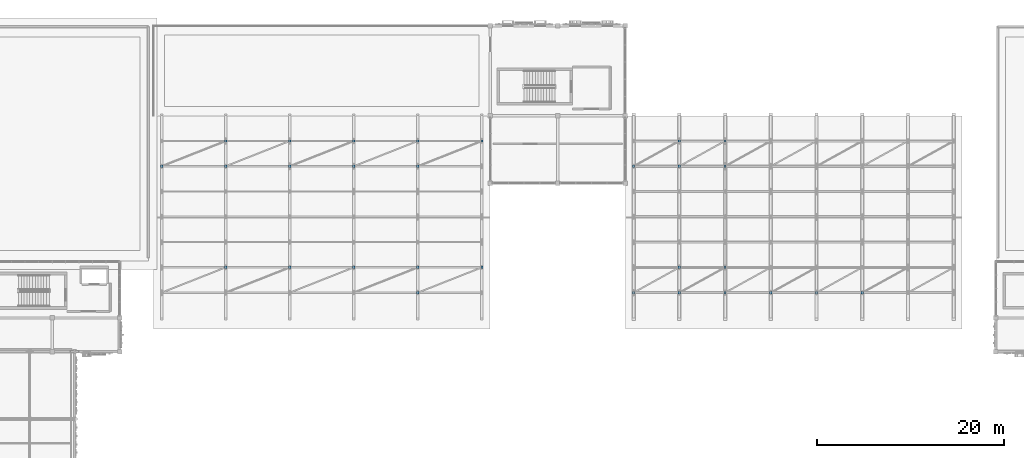
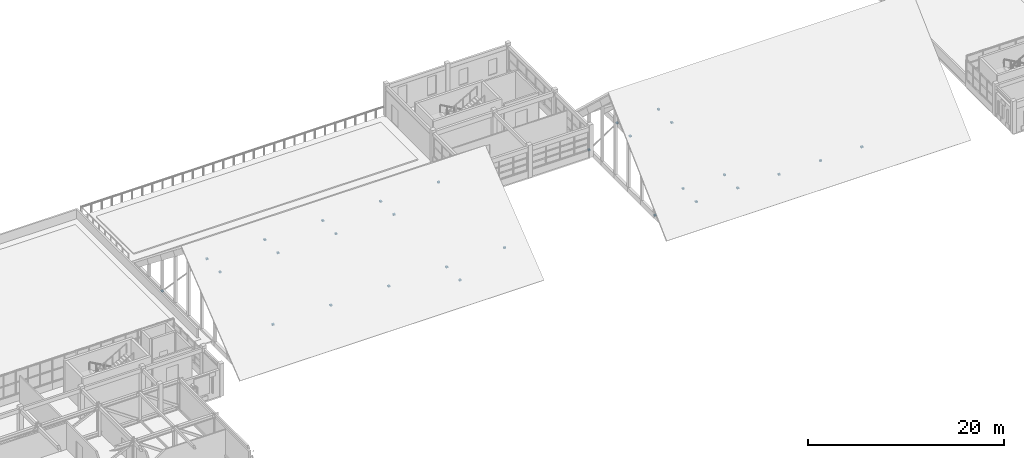
# One storey, part 59 of 79: 29 discrete accessories.
"""IFC4 building model written with IfcOpenShell, lengths in metres."""

from ifc_helpers import new_model, si_unit, direction, frame, origin, origin_2d, place, context, subcontext, project, spatial, rectangle, extrude, material, type_object, element, save


model = new_model("IFC4")

# Units and contexts
model_context = context("Model", 3, precision=1e-05, world=origin(), true_north=direction((0.0, 1.0)))
body_context = subcontext(model_context, "Body", "Model", "MODEL_VIEW")
ifc_project = project(units=[si_unit("LENGTHUNIT", "METRE"), si_unit("AREAUNIT", "SQUARE_METRE"), si_unit("VOLUMEUNIT", "CUBIC_METRE"), si_unit("PLANEANGLEUNIT", "RADIAN"), si_unit("MASSUNIT", "GRAM", prefix="KILO")], contexts=[model_context])

# Site, building, storey
site_placement = place(None, origin())
site = spatial("IfcSite", under=ifc_project, at=site_placement, CompositionType="ELEMENT")
building_placement = place(site_placement, origin())
building = spatial("IfcBuilding", under=site, at=building_placement, Name="Nzembalo Square Collegiate School", CompositionType="ELEMENT")
storey_placement = place(building_placement, frame((0.0, 0.0, 9.52001953125)))
storey = spatial("IfcBuildingStorey", under=building, at=storey_placement, Name="L02", CompositionType="ELEMENT", Elevation=9.52001953125)

# Discrete accessories
ifc_material = material(Name="Steel S355", Category="steel")
discrete_accessory_type = type_object("IfcDiscreteAccessoryType", Name="BK01", PredefinedType="BRACKET", material=ifc_material)
for number, where, z_axis, x_axis, name in (
    (1, (92.10009765625, 85.5, -0.68994140625), (0.0, 0.0, 1.0), (1.0, 0.0, 0.0), "Steel S355 brace end gusset shoe BK01-B029"),
    (2, (96.985595703125, 88.199951171875, -0.68994140625), (0.0, 0.0, 1.0), (1.0, 0.0, 0.0), "Steel S355 brace end gusset shoe BK01-B030"),
    (3, (92.10009765625, 99.0, -0.68994140625), (0.0, 0.0, 1.0), (1.0, 0.0, 0.0), "Steel S355 brace end gusset shoe BK01-B031"),
    (4, (96.985595703125, 101.699951171875, -0.68994140625), (0.0, 0.0, 1.0), (1.0, 0.0, 0.0), "Steel S355 brace end gusset shoe BK01-B032"),
    (5, (96.985595703125, 85.5, -0.68994140625), (0.0, 0.0, 1.0), (1.0, 0.0, 0.0), "Steel S355 brace end gusset shoe BK01-B033"),
    (6, (101.871337890625, 88.199951171875, -0.68994140625), (0.0, 0.0, 1.0), (1.0, 0.0, 0.0), "Steel S355 brace end gusset shoe BK01-B034"),
    (7, (96.985595703125, 99.0, -0.68994140625), (0.0, 0.0, 1.0), (1.0, 0.0, 0.0), "Steel S355 brace end gusset shoe BK01-B035"),
    (8, (101.871337890625, 101.699951171875, -0.68994140625), (0.0, 0.0, 1.0), (1.0, 0.0, 0.0), "Steel S355 brace end gusset shoe BK01-B036"),
    (9, (101.871337890625, 85.5, -0.68994140625), (0.0, 0.0, 1.0), (1.0, 0.0, 0.0), "Steel S355 brace end gusset shoe BK01-B037"),
    (10, (101.871337890625, 99.0, -0.68994140625), (0.0, 0.0, 1.0), (1.0, 0.0, 0.0), "Steel S355 brace end gusset shoe BK01-B039"),
    (11, (106.757080078125, 85.5, -0.68994140625), (0.0, 0.0, 1.0), (1.0, 0.0, 0.0), "Steel S355 brace end gusset shoe BK01-B041"),
    (12, (111.642822265625, 85.5, -0.68994140625), (0.0, 0.0, 1.0), (1.0, 0.0, 0.0), "Steel S355 brace end gusset shoe BK01-B045"),
    (13, (116.528564453125, 85.5, -0.68994140625), (0.0, 0.0, 1.0), (1.0, 0.0, 0.0), "Steel S355 brace end gusset shoe BK01-B049"),
    (14, (48.5400390625, 88.199951171875, -0.68994140625), (0.0, 0.0, 1.0), (1.0, 0.0, 0.0), "Steel S355 brace end gusset shoe BK01-B058"),
    (15, (41.699951171875, 99.0, -0.68994140625), (0.0, 0.0, 1.0), (1.0, 0.0, 0.0), "Steel S355 brace end gusset shoe BK01-B059"),
    (16, (48.5400390625, 101.699951171875, -0.68994140625), (0.0, 0.0, 1.0), (1.0, 0.0, 0.0), "Steel S355 brace end gusset shoe BK01-B060"),
    (17, (55.3798828125, 88.199951171875, -0.68994140625), (0.0, 0.0, 1.0), (1.0, 0.0, 0.0), "Steel S355 brace end gusset shoe BK01-B062"),
    (18, (48.5400390625, 99.0, -0.68994140625), (0.0, 0.0, 1.0), (1.0, 0.0, 0.0), "Steel S355 brace end gusset shoe BK01-B063"),
    (19, (55.3798828125, 101.699951171875, -0.68994140625), (0.0, 0.0, 1.0), (1.0, 0.0, 0.0), "Steel S355 brace end gusset shoe BK01-B064"),
    (20, (62.219970703125, 88.199951171875, -0.68994140625), (0.0, 0.0, 1.0), (1.0, 0.0, 0.0), "Steel S355 brace end gusset shoe BK01-B066"),
    (21, (55.3798828125, 99.0, -0.68994140625), (0.0, 0.0, 1.0), (1.0, 0.0, 0.0), "Steel S355 brace end gusset shoe BK01-B067"),
    (22, (62.219970703125, 101.699951171875, -0.68994140625), (0.0, 0.0, 1.0), (1.0, 0.0, 0.0), "Steel S355 brace end gusset shoe BK01-B068"),
    (23, (69.06005859375, 88.199951171875, -0.68994140625), (0.0, 0.0, 1.0), (1.0, 0.0, 0.0), "Steel S355 brace end gusset shoe BK01-B070"),
    (24, (62.219970703125, 99.0, -0.68994140625), (0.0, 0.0, 1.0), (1.0, 0.0, 0.0), "Steel S355 brace end gusset shoe BK01-B071"),
    (25, (69.06005859375, 101.699951171875, -0.68994140625), (0.0, 0.0, 1.0), (1.0, 0.0, 0.0), "Steel S355 brace end gusset shoe BK01-B072"),
    (26, (69.06005859375, 85.5, -0.68994140625), (0.0, 0.0, 1.0), (1.0, 0.0, 0.0), "Steel S355 brace end gusset shoe BK01-B073"),
    (27, (75.89990234375, 88.199951171875, -0.68994140625), (0.0, 0.0, 1.0), (1.0, 0.0, 0.0), "Steel S355 brace end gusset shoe BK01-B074"),
    (28, (69.06005859375, 99.0, -0.68994140625), (0.0, 0.0, 1.0), (1.0, 0.0, 0.0), "Steel S355 brace end gusset shoe BK01-B075"),
    (29, (75.89990234375, 101.699951171875, -0.68994140625), (0.0, 0.0, 1.0), (1.0, 0.0, 0.0), "Steel S355 brace end gusset shoe BK01-B076"),
):
    element("IfcDiscreteAccessory", number, at=place(storey_placement, frame(where, z_axis=z_axis, x_axis=x_axis)), inside=storey, type_object=discrete_accessory_type, Name=name, PredefinedType="BRACKET", context=body_context, shape_type="SweptSolid", body=[
        extrude(rectangle(XDim=0.239990234375, YDim=0.239990234375, at=origin_2d()), origin(), (0.0, 0.0, 1.0), 0.179931640625),
    ])

save(model, "model.ifc")
